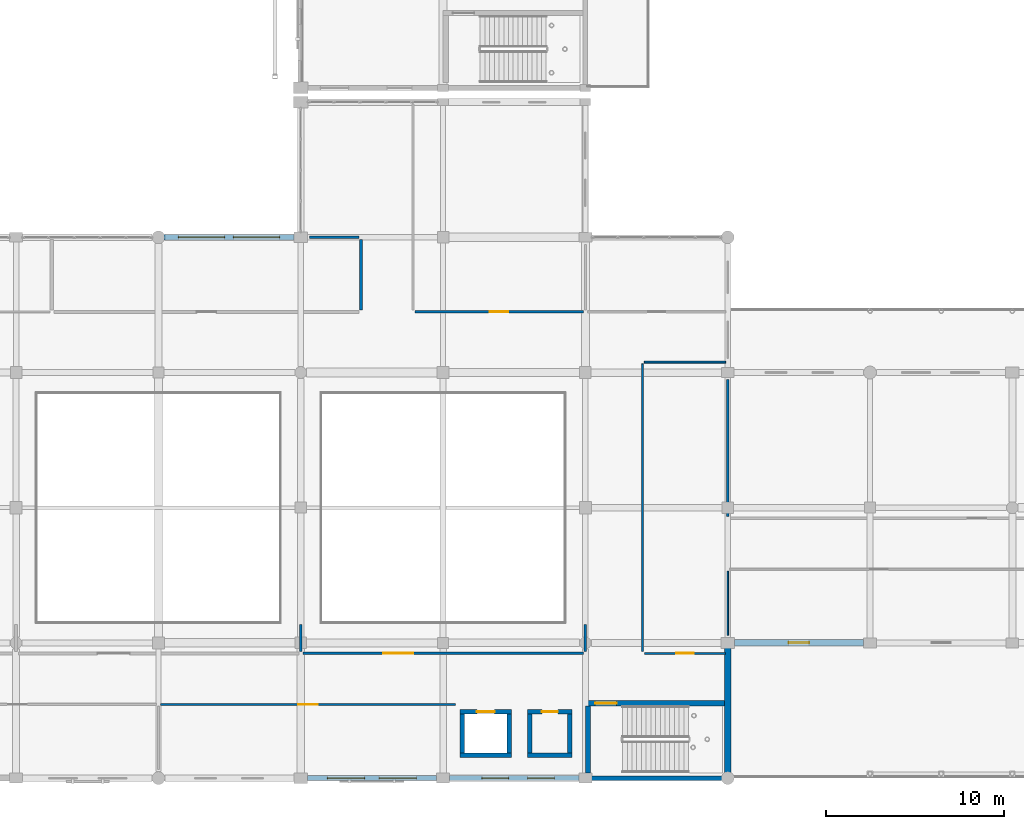
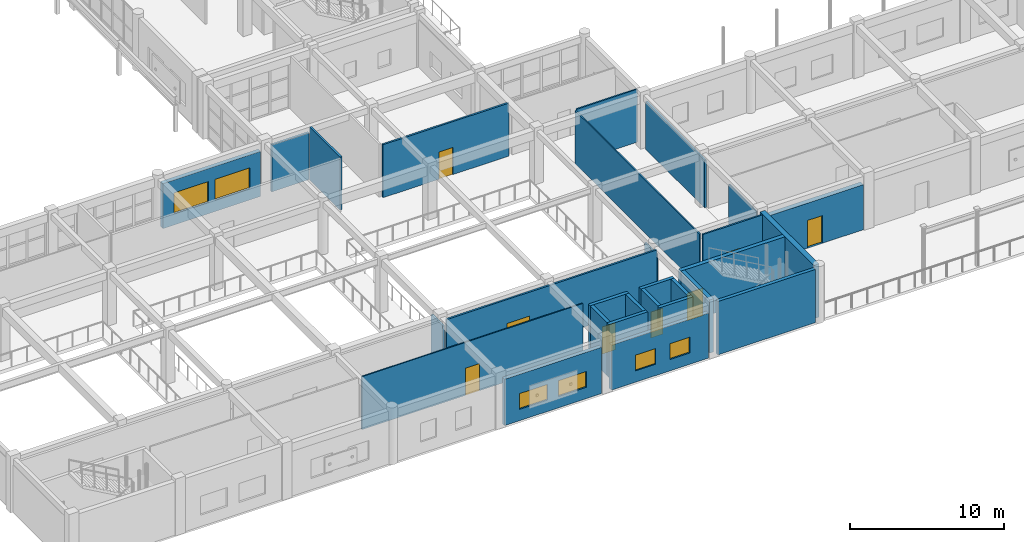
# One storey, part 125 of 160: 28 walls, 8 doors, 6 windows, 14 openings.
"""IFC4 building model written with IfcOpenShell, lengths in metres."""

import ifcopenshell
import ifcopenshell.guid

model = None  # the IFC model being written
_history = None  # IfcOwnerHistory: only IFC2X3 demands one
_inside = {}  # id of a spatial element -> (the spatial element, [elements in it])
_under = {}  # id of a project, library or spatial element -> (it, [spatial elements below it])
_declared = {}  # id of a project -> (the project, [libraries it declares])
_typed = {}  # id of a type object -> (the type object, [elements of that type])
_made_of = {}  # id of a material, layer set ... -> (it, [elements and type objects made of it])


def new_model(schema):
    """Start an empty IFC model of exactly this schema.

    Asked for "IFC4X3", IfcOpenShell would pick the latest addendum, in which some entities
    have other attributes; the version numbers below select the first issue.
    IFC2X3 requires an IfcOwnerHistory on every rooted entity: one is made here for all.
    """
    global model, _history
    if schema == "IFC4X3":
        model = ifcopenshell.file(schema_version=(4, 3, 0, 0))
    else:
        model = ifcopenshell.file(schema=schema)
    _inside.clear()
    _under.clear()
    _declared.clear()
    _typed.clear()
    _made_of.clear()
    _history = None
    if model.schema == "IFC2X3":
        org = make("IfcOrganization", Name="unknown")
        user = make(
            "IfcPersonAndOrganization",
            ThePerson=make("IfcPerson", FamilyName="unknown"),
            TheOrganization=org,
        )
        app = make(
            "IfcApplication",
            ApplicationDeveloper=org,
            Version="unknown",
            ApplicationFullName="unknown",
            ApplicationIdentifier="unknown",
        )
        _history = make(
            "IfcOwnerHistory",
            OwningUser=user,
            OwningApplication=app,
            ChangeAction="ADDED",
            CreationDate=0,
        )
    return model


def make(cls, **values):
    """One entity of the class cls with the attributes given. An attribute that is None is left unset."""
    return model.create_entity(
        cls, **{name: value for name, value in values.items() if value is not None}
    )


def rooted(cls, **values):
    """An entity with a GlobalId (a new one), such as an element, a storey or a relation."""
    return make(cls, GlobalId=ifcopenshell.guid.new(), OwnerHistory=_history, **values)


def si_unit(unit_type, name, prefix=None):
    """IfcSIUnit, for example si_unit("LENGTHUNIT", "METRE", prefix="MILLI")."""
    return make("IfcSIUnit", UnitType=unit_type, Prefix=prefix, Name=name)


def assignment(units):
    """IfcUnitAssignment: the units of a project."""
    return None if units is None else make("IfcUnitAssignment", Units=units)


def point(xyz):
    """IfcCartesianPoint."""
    return None if xyz is None else make("IfcCartesianPoint", Coordinates=xyz)


def direction(xyz):
    """IfcDirection."""
    return None if xyz is None else make("IfcDirection", DirectionRatios=xyz)


def frame(location, z_axis=None, x_axis=None):
    """IfcAxis2Placement3D, a coordinate frame: its origin and axes. An axis left out is left unset."""
    return make(
        "IfcAxis2Placement3D",
        Location=point(location),
        Axis=direction(z_axis),
        RefDirection=direction(x_axis),
    )


def frame_2d(location, x_axis=None):
    """IfcAxis2Placement2D, a coordinate frame in the plane: its origin and x axis."""
    return make(
        "IfcAxis2Placement2D", Location=point(location), RefDirection=direction(x_axis)
    )


def origin():
    """The frame at (0, 0, 0) with its axes left unset."""
    return frame((0.0, 0.0, 0.0))


def place(relative_to, where):
    """IfcLocalPlacement: puts the frame where relative to a parent placement (None: the world)."""
    return make(
        "IfcLocalPlacement", PlacementRelTo=relative_to, RelativePlacement=where
    )


def context(
    kind, dimensions, precision=None, world=None, true_north=None, identifier=None
):
    """IfcGeometricRepresentationContext, for example the 3D "Model" context."""
    return make(
        "IfcGeometricRepresentationContext",
        ContextIdentifier=identifier,
        ContextType=kind,
        CoordinateSpaceDimension=dimensions,
        Precision=precision,
        WorldCoordinateSystem=world,
        TrueNorth=true_north,
    )


def subcontext(parent, identifier, kind, view, scale=None):
    """IfcGeometricRepresentationSubContext, for example "Body" below "Model"."""
    return make(
        "IfcGeometricRepresentationSubContext",
        ContextIdentifier=identifier,
        ContextType=kind,
        ParentContext=parent,
        TargetScale=scale,
        TargetView=view,
    )


def project(units=None, contexts=None):
    """IfcProject with its units and contexts."""
    return rooted(
        "IfcProject",
        Name="project",
        RepresentationContexts=contexts,
        UnitsInContext=assignment(units),
    )


def spatial(cls, under=None, at=None, **own):
    """A site, building, storey or space (cls), placed at a placement, below another one or the project."""
    s = rooted(cls, ObjectPlacement=at, **own)
    if under is not None:
        _under.setdefault(under.id(), (under, []))[1].append(s)
    return s


def profile(cls, at=None, kind="AREA", **sizes):
    """A parametric profile (cls). Its sizes go by their IFC names, for example OverallWidth=200.0."""
    return make(cls, ProfileType=kind, Position=at, **sizes)


def rectangle(**sizes):
    """IfcRectangleProfileDef."""
    return profile("IfcRectangleProfileDef", **sizes)


def extrude(swept, where, along, depth):
    """IfcExtrudedAreaSolid: the profile swept, set in the frame where, extruded along a direction by depth."""
    return make(
        "IfcExtrudedAreaSolid",
        SweptArea=swept,
        Position=where,
        ExtrudedDirection=direction(along),
        Depth=depth,
    )


def shape(context_of_items, identifier, shape_type, items):
    """IfcShapeRepresentation: the items that make up one representation, for example the "Body"."""
    return make(
        "IfcShapeRepresentation",
        ContextOfItems=context_of_items,
        RepresentationIdentifier=identifier,
        RepresentationType=shape_type,
        Items=items,
    )


def material(Name=None, Category=None):
    """IfcMaterial."""
    return make("IfcMaterial", Name=Name, Category=Category)


def layer(
    of_material, thickness, ventilated=None, Name=None, Category=None, Priority=None
):
    """IfcMaterialLayer: one layer of a wall or slab, of a material (None: an air gap)."""
    return make(
        "IfcMaterialLayer",
        Material=of_material,
        LayerThickness=thickness,
        IsVentilated=ventilated,
        Name=Name,
        Category=Category,
        Priority=Priority,
    )


def layer_set(layers, Name=None):
    """IfcMaterialLayerSet."""
    return make("IfcMaterialLayerSet", MaterialLayers=layers, LayerSetName=Name)


def made_of(thing, what):
    """Note that an element or type object is made of a material, layer set ...; save() writes the relation."""
    if what is not None:
        _made_of.setdefault(what.id(), (what, []))[1].append(thing)
    return thing


def type_object(cls, material=None, **own):
    """A type object (cls), such as IfcWallType, which elements share."""
    return made_of(rooted(cls, **own), material)


def element(
    cls,
    number,
    at=None,
    inside=None,
    cuts=None,
    type_object=None,
    material=None,
    context=None,
    identifier="Body",
    shape_type=None,
    held_by="IfcProductDefinitionShape",
    body=None,
    shapes=None,
    **own,
):
    """One element of the class cls, such as IfcWall. Its Tag is "e" and its number.

    at: its placement. inside: the storey or other place that contains it. cuts: it is an
    opening in that element (IfcRelVoidsElement). A single representation is given by context,
    identifier, shape_type and body (its items); several are given by shapes. held_by: the class
    of the entity that holds the representations. save() writes the other relations.
    """
    e = rooted(cls, Tag="e%d" % number, ObjectPlacement=at, **own)
    if body is not None:
        shapes = [shape(context, identifier, shape_type, body)]
    if shapes is not None:
        e.Representation = make(held_by, Representations=shapes)
    if inside is not None:
        _inside.setdefault(inside.id(), (inside, []))[1].append(e)
    if cuts is not None:
        rooted(
            "IfcRelVoidsElement", RelatingBuildingElement=cuts, RelatedOpeningElement=e
        )
    if type_object is not None:
        _typed.setdefault(type_object.id(), (type_object, []))[1].append(e)
    return made_of(e, material)


def fill(opening, filler):
    """IfcRelFillsElement: the door or window that sits in an opening."""
    return rooted(
        "IfcRelFillsElement",
        RelatingOpeningElement=opening,
        RelatedBuildingElement=filler,
    )


def aggregate(whole, parts):
    """IfcRelAggregates: a whole, such as a stair, and the parts it consists of."""
    return rooted("IfcRelAggregates", RelatingObject=whole, RelatedObjects=parts)


def save(model, path):
    """Write the relations noted so far, then the file.

    IfcRelAggregates (storeys below a building ...), IfcRelContainedInSpatialStructure (elements
    in a storey), IfcRelDefinesByType, IfcRelAssociatesMaterial and IfcRelDeclares: one each for
    every whole, place, type object, material and project.
    """
    for whole, parts in _under.values():
        aggregate(whole, parts)
    for where, things in _inside.values():
        rooted(
            "IfcRelContainedInSpatialStructure",
            RelatedElements=things,
            RelatingStructure=where,
        )
    for kind, things in _typed.values():
        rooted("IfcRelDefinesByType", RelatedObjects=things, RelatingType=kind)
    for what, things in _made_of.values():
        rooted("IfcRelAssociatesMaterial", RelatedObjects=things, RelatingMaterial=what)
    for by, libraries in _declared.values():
        rooted("IfcRelDeclares", RelatingContext=by, RelatedDefinitions=libraries)
    model.write(path)


model = new_model("IFC4")

# Units and contexts
model_context = context("Model", 3, precision=1e-05, world=origin(), true_north=direction((0.0, 1.0)))
body_context = subcontext(model_context, "Body", "Model", "MODEL_VIEW")
ifc_project = project(units=[si_unit("LENGTHUNIT", "METRE"), si_unit("AREAUNIT", "SQUARE_METRE"), si_unit("VOLUMEUNIT", "CUBIC_METRE"), si_unit("PLANEANGLEUNIT", "RADIAN"), si_unit("MASSUNIT", "GRAM", prefix="KILO")], contexts=[model_context])

# Site, building, storey
site_placement = place(None, origin())
site = spatial("IfcSite", under=ifc_project, at=site_placement, CompositionType="ELEMENT")
building_placement = place(site_placement, origin())
building = spatial("IfcBuilding", under=site, at=building_placement, Name="Kharva Crest Polytechnic", CompositionType="ELEMENT")
storey_placement = place(building_placement, frame((0.0, 0.0, 4.5)))
storey = spatial("IfcBuildingStorey", under=building, at=storey_placement, Name="L01", CompositionType="ELEMENT", Elevation=4.5)

# Wall, opening, door
ifc_material_1 = material(Name="Concrete C40/50", Category="concrete")
ifc_layer_1 = layer(ifc_material_1, 0.300048828125, Name="Concrete C40/50")
ifc_layer_set_1 = layer_set([ifc_layer_1], Name="Concrete C40/50")
wall_type_1 = type_object("IfcWallType", Name="WL-CORE-CW2-300", PredefinedType="SHEAR", material=ifc_layer_set_1)
wall_1_placement = place(storey_placement, frame((48.0, 4.2099609375, 0.0), z_axis=(0.0, 0.0, 1.0), x_axis=(1.0, 0.0, 0.0)))
wall_1 = element("IfcWall", 1, at=wall_1_placement, inside=storey, type_object=wall_type_1, Name="L01 South-West Lecture Core C1 North Shear Wall", PredefinedType="SHEAR", context=body_context, shape_type="SweptSolid", body=[
    extrude(rectangle(XDim=8.0, YDim=0.300048828125, at=frame_2d((4.0, 0.0))), origin(), (0.0, 0.0, 1.0), 4.219970703125),
])
opening_1_placement = place(wall_1_placement, frame((0.550048828125, 0.0, 0.0)))
opening_1 = element("IfcOpeningElement", 2, at=opening_1_placement, cuts=wall_1, Name="Opening FD1", PredefinedType="OPENING", context=body_context, shape_type="SweptSolid", body=[
    extrude(rectangle(XDim=1.199951171875, YDim=2.199951171875, at=frame_2d((0.60009765625, 1.10009765625))), frame((0.0, 0.159912109375, 0.0), z_axis=(0.0, -1.0, 0.0), x_axis=(1.0, 0.0, 0.0)), (0.0, 0.0, 1.0), 0.320068359375),
])
ifc_material_2 = material(Name="Teak timber", Category="wood")
door_type_1 = type_object("IfcDoorType", Name="DR-STAIR-1200X2200", OperationType="NOTDEFINED", PredefinedType="DOOR", material=ifc_material_2)
door_1_placement = place(opening_1_placement, origin())
door_1 = element("IfcDoor", 3, at=door_1_placement, inside=storey, type_object=door_type_1, Name="L01 ST-01 Stair Door", OperationType="SINGLE_SWING_LEFT", OverallHeight=2.199951171875, OverallWidth=1.199951171875, PredefinedType="DOOR", context=body_context, shape_type="SweptSolid", body=[
    extrude(rectangle(XDim=1.199951171875, YDim=2.199951171875, at=frame_2d((0.60009765625, 1.10009765625))), frame((0.0, 0.02490234375, 0.0), z_axis=(0.0, -1.0, 0.0), x_axis=(1.0, 0.0, 0.0)), (0.0, 0.0, 1.0), 0.050048828125),
])
fill(opening_1, door_1)

# Walls
wall_2_placement = place(storey_placement, frame((48.14990234375, 0.300048828125, 0.0), z_axis=(0.0, 0.0, 1.0), x_axis=(0.0, 1.0, 0.0)))
element("IfcWall", 4, at=wall_2_placement, inside=storey, type_object=wall_type_1, Name="L01 South-West Lecture Core C1 West Shear Wall", PredefinedType="SHEAR", context=body_context, shape_type="SweptSolid", body=[
    extrude(rectangle(XDim=3.760009765625, YDim=0.300048828125, at=frame_2d((1.8798828125, 0.0))), origin(), (0.0, 0.0, 1.0), 4.219970703125),
])
ifc_material_3 = material(Name="Kiln brick masonry", Category="masonry")
ifc_layer_2 = layer(ifc_material_3, 0.260009765625, Name="Kiln brick masonry")
ifc_layer_set_2 = layer_set([ifc_layer_2], Name="Kiln brick masonry")
wall_type_2 = type_object("IfcWallType", Name="WL-EXT-BRK-260", PredefinedType="SOLIDWALL", material=ifc_layer_set_2)
wall_3_placement = place(storey_placement, frame((48.35498046875, 0.0, 0.0), z_axis=(0.0, 0.0, 1.0), x_axis=(1.0, 0.0, 0.0)))
element("IfcWall", 5, at=wall_3_placement, inside=storey, type_object=wall_type_2, Name="L01 Exterior Brick Wall 129", PredefinedType="SOLIDWALL", context=body_context, shape_type="SweptSolid", body=[
    extrude(rectangle(XDim=7.342529296875, YDim=0.260009765625, at=frame_2d((3.67138671875, 0.0))), origin(), (0.0, 0.0, 1.0), 4.219970703125),
])

# Wall, openings, windows
ifc_layer_3 = layer(ifc_material_3, 0.27490234375, Name="Kiln brick masonry")
ifc_layer_set_3 = layer_set([ifc_layer_3], Name="Kiln brick masonry")
wall_type_3 = type_object("IfcWallType", Name="WL-EXT-BRK-275", PredefinedType="SOLIDWALL", material=ifc_layer_set_3)
wall_4_placement = place(storey_placement, frame((40.3701171875, 0.0, 0.0), z_axis=(0.0, 0.0, 1.0), x_axis=(1.0, 0.0, 0.0)))
wall_4 = element("IfcWall", 6, at=wall_4_placement, inside=storey, type_object=wall_type_3, Name="L01 Exterior Brick Wall 128", PredefinedType="SOLIDWALL", context=body_context, shape_type="SweptSolid", body=[
    extrude(rectangle(XDim=7.27490234375, YDim=0.27490234375, at=frame_2d((3.637451171875, 0.0))), origin(), (0.0, 0.0, 1.0), 3.570068359375),
])
opening_2_placement = place(wall_4_placement, frame((1.818115234375, 0.0, 0.89990234375)))
opening_2 = element("IfcOpeningElement", 7, at=opening_2_placement, cuts=wall_4, Name="Opening W20", PredefinedType="OPENING", context=body_context, shape_type="SweptSolid", body=[
    extrude(rectangle(XDim=1.5, YDim=1.25, at=frame_2d((0.75, 0.625))), frame((0.0, 0.1474609375, 0.0), z_axis=(0.0, -1.0, 0.0), x_axis=(1.0, 0.0, 0.0)), (0.0, 0.0, 1.0), 0.294921875),
])
opening_3_placement = place(wall_4_placement, frame((4.386962890625, 0.0, 0.89990234375)))
opening_3 = element("IfcOpeningElement", 8, at=opening_3_placement, cuts=wall_4, Name="Opening W20", PredefinedType="OPENING", context=body_context, shape_type="SweptSolid", body=[
    extrude(rectangle(XDim=1.5, YDim=1.25, at=frame_2d((0.75, 0.625))), frame((0.0, 0.1474609375, 0.0), z_axis=(0.0, -1.0, 0.0), x_axis=(1.0, 0.0, 0.0)), (0.0, 0.0, 1.0), 0.294921875),
])
ifc_material_4 = material(Name="Anodised aluminium", Category="aluminium")
window_type_1 = type_object("IfcWindowType", Name="WIN-ALU-1500X1250", PartitioningType="SINGLE_PANEL", PredefinedType="WINDOW", material=ifc_material_4)
window_1_placement = place(opening_2_placement, origin())
window_1 = element("IfcWindow", 9, at=window_1_placement, inside=storey, type_object=window_type_1, Name="L01 Exterior Window 162", OverallHeight=1.25, OverallWidth=1.5, PartitioningType="SINGLE_PANEL", PredefinedType="WINDOW", context=body_context, shape_type="SweptSolid", body=[
    extrude(rectangle(XDim=1.5, YDim=1.25, at=frame_2d((0.75, 0.625))), frame((0.0, 0.030029296875, 0.0), z_axis=(0.0, -1.0, 0.0), x_axis=(1.0, 0.0, 0.0)), (0.0, 0.0, 1.0), 0.06005859375),
])
fill(opening_2, window_1)
window_2_placement = place(opening_3_placement, origin())
window_2 = element("IfcWindow", 10, at=window_2_placement, inside=storey, type_object=window_type_1, Name="L01 Exterior Window 163", OverallHeight=1.25, OverallWidth=1.5, PartitioningType="SINGLE_PANEL", PredefinedType="WINDOW", context=body_context, shape_type="SweptSolid", body=[
    extrude(rectangle(XDim=1.5, YDim=1.25, at=frame_2d((0.75, 0.625))), frame((0.0, 0.030029296875, 0.0), z_axis=(0.0, -1.0, 0.0), x_axis=(1.0, 0.0, 0.0)), (0.0, 0.0, 1.0), 0.06005859375),
])
fill(opening_3, window_2)

ifc_layer_4 = layer(ifc_material_3, 0.2900390625, Name="Kiln brick masonry")
ifc_layer_set_4 = layer_set([ifc_layer_4], Name="Kiln brick masonry")
wall_type_4 = type_object("IfcWallType", Name="WL-EXT-BRK-290", PredefinedType="SOLIDWALL", material=ifc_layer_set_4)
wall_5_placement = place(storey_placement, frame((32.3701171875, 0.0, 0.0), z_axis=(0.0, 0.0, 1.0), x_axis=(1.0, 0.0, 0.0)))
wall_5 = element("IfcWall", 11, at=wall_5_placement, inside=storey, type_object=wall_type_4, Name="L01 Exterior Brick Wall 127", PredefinedType="SOLIDWALL", context=body_context, shape_type="SweptSolid", body=[
    extrude(rectangle(XDim=7.259765625, YDim=0.2900390625, at=frame_2d((3.6298828125, 0.0))), origin(), (0.0, 0.0, 1.0), 3.669921875),
])
opening_4_placement = place(wall_5_placement, frame((1.126953125, 0.0, 0.89990234375)))
opening_4 = element("IfcOpeningElement", 12, at=opening_4_placement, cuts=wall_5, Name="Opening W18", PredefinedType="OPENING", context=body_context, shape_type="SweptSolid", body=[
    extrude(rectangle(XDim=2.10009765625, YDim=1.25, at=frame_2d((1.050048828125, 0.625))), frame((0.0, 0.155029296875, 0.0), z_axis=(0.0, -1.0, 0.0), x_axis=(1.0, 0.0, 0.0)), (0.0, 0.0, 1.0), 0.31005859375),
])
opening_5_placement = place(wall_5_placement, frame((4.032958984375, 0.0, 0.89990234375)))
opening_5 = element("IfcOpeningElement", 13, at=opening_5_placement, cuts=wall_5, Name="Opening W18", PredefinedType="OPENING", context=body_context, shape_type="SweptSolid", body=[
    extrude(rectangle(XDim=2.10009765625, YDim=1.25, at=frame_2d((1.050048828125, 0.625))), frame((0.0, 0.155029296875, 0.0), z_axis=(0.0, -1.0, 0.0), x_axis=(1.0, 0.0, 0.0)), (0.0, 0.0, 1.0), 0.31005859375),
])
window_type_2 = type_object("IfcWindowType", Name="WIN-ALU-2100X1250", PartitioningType="SINGLE_PANEL", PredefinedType="WINDOW", material=ifc_material_4)
window_3_placement = place(opening_4_placement, origin())
window_3 = element("IfcWindow", 14, at=window_3_placement, inside=storey, type_object=window_type_2, Name="L01 Exterior Window 160", OverallHeight=1.25, OverallWidth=2.10009765625, PartitioningType="SINGLE_PANEL", PredefinedType="WINDOW", context=body_context, shape_type="SweptSolid", body=[
    extrude(rectangle(XDim=2.10009765625, YDim=1.25, at=frame_2d((1.050048828125, 0.625))), frame((0.0, 0.030029296875, 0.0), z_axis=(0.0, -1.0, 0.0), x_axis=(1.0, 0.0, 0.0)), (0.0, 0.0, 1.0), 0.06005859375),
])
fill(opening_4, window_3)
window_4_placement = place(opening_5_placement, origin())
window_4 = element("IfcWindow", 15, at=window_4_placement, inside=storey, type_object=window_type_2, Name="L01 Exterior Window 161", OverallHeight=1.25, OverallWidth=2.10009765625, PartitioningType="SINGLE_PANEL", PredefinedType="WINDOW", context=body_context, shape_type="SweptSolid", body=[
    extrude(rectangle(XDim=2.10009765625, YDim=1.25, at=frame_2d((1.050048828125, 0.625))), frame((0.0, 0.030029296875, 0.0), z_axis=(0.0, -1.0, 0.0), x_axis=(1.0, 0.0, 0.0)), (0.0, 0.0, 1.0), 0.06005859375),
])
fill(opening_5, window_4)

ifc_layer_5 = layer(ifc_material_3, 0.304931640625, Name="Kiln brick masonry")
ifc_layer_set_5 = layer_set([ifc_layer_5], Name="Kiln brick masonry")
wall_type_5 = type_object("IfcWallType", Name="WL-EXT-BRK-305", PredefinedType="SOLIDWALL", material=ifc_layer_set_5)
wall_6_placement = place(storey_placement, frame((31.6298828125, 30.39990234375, 0.0), z_axis=(0.0, 0.0, 1.0), x_axis=(-1.0, 0.0, 0.0)))
wall_6 = element("IfcWall", 16, at=wall_6_placement, inside=storey, type_object=wall_type_5, Name="L01 Exterior Brick Wall 149", PredefinedType="SOLIDWALL", context=body_context, shape_type="SweptSolid", body=[
    extrude(rectangle(XDim=7.327392578125, YDim=0.304931640625, at=frame_2d((3.66357421875, 0.0))), origin(), (0.0, 0.0, 1.0), 3.570068359375),
])
opening_6_placement = place(wall_6_placement, frame((0.81591796875, 0.0, 0.89990234375)))
opening_6 = element("IfcOpeningElement", 17, at=opening_6_placement, cuts=wall_6, Name="Opening W24", PredefinedType="OPENING", context=body_context, shape_type="SweptSolid", body=[
    extrude(rectangle(XDim=2.60009765625, YDim=1.64990234375, at=frame_2d((1.300048828125, 0.824951171875))), frame((0.0, 0.162353515625, 0.0), z_axis=(0.0, -1.0, 0.0), x_axis=(1.0, 0.0, 0.0)), (0.0, 0.0, 1.0), 0.324951171875),
])
opening_7_placement = place(wall_6_placement, frame((3.912109375, 0.0, 0.89990234375)))
opening_7 = element("IfcOpeningElement", 18, at=opening_7_placement, cuts=wall_6, Name="Opening W24", PredefinedType="OPENING", context=body_context, shape_type="SweptSolid", body=[
    extrude(rectangle(XDim=2.60009765625, YDim=1.64990234375, at=frame_2d((1.300048828125, 0.824951171875))), frame((0.0, 0.162353515625, 0.0), z_axis=(0.0, -1.0, 0.0), x_axis=(1.0, 0.0, 0.0)), (0.0, 0.0, 1.0), 0.324951171875),
])
window_type_3 = type_object("IfcWindowType", Name="WIN-ALU-2600X1650", PartitioningType="SINGLE_PANEL", PredefinedType="WINDOW", material=ifc_material_4)
window_5_placement = place(opening_6_placement, origin())
window_5 = element("IfcWindow", 19, at=window_5_placement, inside=storey, type_object=window_type_3, Name="L01 Exterior Window 190", OverallHeight=1.64990234375, OverallWidth=2.60009765625, PartitioningType="SINGLE_PANEL", PredefinedType="WINDOW", context=body_context, shape_type="SweptSolid", body=[
    extrude(rectangle(XDim=2.60009765625, YDim=1.64990234375, at=frame_2d((1.300048828125, 0.824951171875))), frame((0.0, 0.030029296875, 0.0), z_axis=(0.0, -1.0, 0.0), x_axis=(1.0, 0.0, 0.0)), (0.0, 0.0, 1.0), 0.06005859375),
])
fill(opening_6, window_5)
window_6_placement = place(opening_7_placement, origin())
window_6 = element("IfcWindow", 20, at=window_6_placement, inside=storey, type_object=window_type_3, Name="L01 Exterior Window 191", OverallHeight=1.64990234375, OverallWidth=2.60009765625, PartitioningType="SINGLE_PANEL", PredefinedType="WINDOW", context=body_context, shape_type="SweptSolid", body=[
    extrude(rectangle(XDim=2.60009765625, YDim=1.64990234375, at=frame_2d((1.300048828125, 0.824951171875))), frame((0.0, 0.030029296875, 0.0), z_axis=(0.0, -1.0, 0.0), x_axis=(1.0, 0.0, 0.0)), (0.0, 0.0, 1.0), 0.06005859375),
])
fill(opening_7, window_6)

# Wall, opening, door
ifc_layer_6 = layer(ifc_material_3, 0.364990234375, Name="Kiln brick masonry")
ifc_layer_set_6 = layer_set([ifc_layer_6], Name="Kiln brick masonry")
wall_type_6 = type_object("IfcWallType", Name="WL-EXT-BRK-365", PredefinedType="SOLIDWALL", material=ifc_layer_set_6)
wall_7_placement = place(storey_placement, frame((56.3701171875, 7.60009765625, 0.0), z_axis=(0.0, 0.0, 1.0), x_axis=(1.0, 0.0, 0.0)))
wall_7 = element("IfcWall", 21, at=wall_7_placement, inside=storey, type_object=wall_type_6, Name="L01 Exterior Brick Wall 131", PredefinedType="SOLIDWALL", context=body_context, shape_type="SweptSolid", body=[
    extrude(rectangle(XDim=7.259765625, YDim=0.364990234375, at=frame_2d((3.6298828125, 0.0))), origin(), (0.0, 0.0, 1.0), 3.570068359375),
])
opening_8_placement = place(wall_7_placement, frame((3.054931640625, 0.0, 0.0)))
opening_8 = element("IfcOpeningElement", 22, at=opening_8_placement, cuts=wall_7, Name="Opening ED9", PredefinedType="OPENING", context=body_context, shape_type="SweptSolid", body=[
    extrude(rectangle(XDim=1.14990234375, YDim=2.199951171875, at=frame_2d((0.574951171875, 1.10009765625))), frame((0.0, 0.1923828125, 0.0), z_axis=(0.0, -1.0, 0.0), x_axis=(1.0, 0.0, 0.0)), (0.0, 0.0, 1.0), 0.385009765625),
])
door_type_2 = type_object("IfcDoorType", Name="DR-EXT-TER-1150X2200", OperationType="NOTDEFINED", PredefinedType="DOOR", material=ifc_material_4)
door_2_placement = place(opening_8_placement, frame((1.14990234375, 0.0, 0.0), z_axis=(0.0, 0.0, 1.0), x_axis=(-1.0, 0.0, 0.0)))
door_2 = element("IfcDoor", 23, at=door_2_placement, inside=storey, type_object=door_type_2, Name="L01 ARC_S_L01 Access Door 30", OperationType="SINGLE_SWING_RIGHT", OverallHeight=2.199951171875, OverallWidth=1.14990234375, PredefinedType="DOOR", context=body_context, shape_type="SweptSolid", body=[
    extrude(rectangle(XDim=1.14990234375, YDim=2.199951171875, at=frame_2d((0.574951171875, 1.10009765625))), frame((0.0, 0.02490234375, 0.0), z_axis=(0.0, -1.0, 0.0), x_axis=(1.0, 0.0, 0.0)), (0.0, 0.0, 1.0), 0.050048828125),
])
fill(opening_8, door_2)

# Wall
ifc_layer_7 = layer(ifc_material_3, 0.3798828125, Name="Kiln brick masonry")
ifc_layer_set_7 = layer_set([ifc_layer_7], Name="Kiln brick masonry")
wall_type_7 = type_object("IfcWallType", Name="WL-EXT-BRK-380", PredefinedType="SOLIDWALL", material=ifc_layer_set_7)
wall_8_placement = place(storey_placement, frame((56.0, 0.302490234375, 0.0), z_axis=(0.0, 0.0, 1.0), x_axis=(0.0, 1.0, 0.0)))
element("IfcWall", 24, at=wall_8_placement, inside=storey, type_object=wall_type_7, Name="L01 Exterior Brick Wall 130", PredefinedType="SOLIDWALL", context=body_context, shape_type="SweptSolid", body=[
    extrude(rectangle(XDim=7.00244140625, YDim=0.3798828125, at=frame_2d((3.501220703125, 0.0))), origin(), (0.0, 0.0, 1.0), 4.219970703125),
])

# Wall, opening, door
ifc_layer_8 = layer(ifc_material_3, 0.090087890625, Name="Kiln brick masonry")
ifc_layer_set_8 = layer_set([ifc_layer_8], Name="Kiln brick masonry")
wall_type_8 = type_object("IfcWallType", Name="WL-PART-090", PredefinedType="PARTITIONING", material=ifc_layer_set_8)
wall_9_placement = place(storey_placement, frame((24.1201171875, 4.139892578125, 0.0), z_axis=(0.0, 0.0, 1.0), x_axis=(1.0, 0.0, 0.0)))
wall_9 = element("IfcWall", 25, at=wall_9_placement, inside=storey, type_object=wall_type_8, Name="L01 Interior Partition 129", PredefinedType="PARTITIONING", context=body_context, shape_type="SweptSolid", body=[
    extrude(rectangle(XDim=16.56982421875, YDim=0.090087890625, at=frame_2d((8.284912109375, 0.0))), origin(), (0.0, 0.0, 1.0), 4.199951171875),
])
opening_9_placement = place(wall_9_placement, frame((7.7451171875, 0.0, 0.0)))
opening_9 = element("IfcOpeningElement", 26, at=opening_9_placement, cuts=wall_9, Name="Opening ID10", PredefinedType="OPENING", context=body_context, shape_type="SweptSolid", body=[
    extrude(rectangle(XDim=1.080078125, YDim=2.14990234375, at=frame_2d((0.5400390625, 1.074951171875))), frame((0.0, 0.054931640625, 0.0), z_axis=(0.0, -1.0, 0.0), x_axis=(1.0, 0.0, 0.0)), (0.0, 0.0, 1.0), 0.110107421875),
])
door_type_3 = type_object("IfcDoorType", Name="DR-CLS-1080X2150", OperationType="NOTDEFINED", PredefinedType="DOOR", material=ifc_material_2)
door_3_placement = place(opening_9_placement, origin())
door_3 = element("IfcDoor", 27, at=door_3_placement, inside=storey, type_object=door_type_3, Name="L01 Classroom L01-B Door", OperationType="SINGLE_SWING_LEFT", OverallHeight=2.14990234375, OverallWidth=1.080078125, PredefinedType="DOOR", context=body_context, shape_type="SweptSolid", body=[
    extrude(rectangle(XDim=1.080078125, YDim=2.14990234375, at=frame_2d((0.5400390625, 1.074951171875))), frame((0.0, 0.02490234375, 0.0), z_axis=(0.0, -1.0, 0.0), x_axis=(1.0, 0.0, 0.0)), (0.0, 0.0, 1.0), 0.050048828125),
])
fill(opening_9, door_3)

# Walls
wall_10_placement = place(storey_placement, frame((56.010009765625, 8.030029296875, 0.0), z_axis=(0.0, 0.0, 1.0), x_axis=(0.0, 1.0, 0.0)))
element("IfcWall", 28, at=wall_10_placement, inside=storey, type_object=wall_type_8, Name="L01 Interior Partition 149", PredefinedType="PARTITIONING", context=body_context, shape_type="SweptSolid", body=[
    extrude(rectangle(XDim=3.599853515625, YDim=0.090087890625, at=frame_2d((1.7998046875, 0.0))), origin(), (0.0, 0.0, 1.0), 3.739990234375),
])
ifc_layer_9 = layer(ifc_material_3, 0.10009765625, Name="Kiln brick masonry")
ifc_layer_set_9 = layer_set([ifc_layer_9], Name="Kiln brick masonry")
wall_type_9 = type_object("IfcWallType", Name="WL-PART-100", PredefinedType="PARTITIONING", material=ifc_layer_set_9)
wall_11_placement = place(storey_placement, frame((51.2099609375, 7.1201171875, 0.0), z_axis=(0.0, 0.0, 1.0), x_axis=(0.0, 1.0, 0.0)))
element("IfcWall", 29, at=wall_11_placement, inside=storey, type_object=wall_type_9, Name="L01 Interior Partition 138", PredefinedType="PARTITIONING", context=body_context, shape_type="SweptSolid", body=[
    extrude(rectangle(XDim=16.159912109375, YDim=0.10009765625, at=frame_2d((8.080078125, 0.0))), origin(), (0.0, 0.0, 1.0), 4.199951171875),
])
ifc_layer_10 = layer(ifc_material_3, 0.110107421875, Name="Kiln brick masonry")
ifc_layer_set_10 = layer_set([ifc_layer_10], Name="Kiln brick masonry")
wall_type_10 = type_object("IfcWallType", Name="WL-PART-110", PredefinedType="PARTITIONING", material=ifc_layer_set_10)
wall_12_placement = place(storey_placement, frame((51.320068359375, 23.389892578125, 0.0), z_axis=(0.0, 0.0, 1.0), x_axis=(1.0, 0.0, 0.0)))
element("IfcWall", 30, at=wall_12_placement, inside=storey, type_object=wall_type_10, Name="L01 Interior Partition 137", PredefinedType="PARTITIONING", context=body_context, shape_type="SweptSolid", body=[
    extrude(rectangle(XDim=4.56982421875, YDim=0.110107421875, at=frame_2d((2.284912109375, 0.0))), origin(), (0.0, 0.0, 1.0), 4.199951171875),
])

# Wall, opening, door
ifc_layer_11 = layer(ifc_material_3, 0.1201171875, Name="Kiln brick masonry")
ifc_layer_set_11 = layer_set([ifc_layer_11], Name="Kiln brick masonry")
wall_type_11 = type_object("IfcWallType", Name="WL-PART-120", PredefinedType="PARTITIONING", material=ifc_layer_set_11)
wall_13_placement = place(storey_placement, frame((51.320068359375, 7.010009765625, 0.0), z_axis=(0.0, 0.0, 1.0), x_axis=(1.0, 0.0, 0.0)))
wall_13 = element("IfcWall", 31, at=wall_13_placement, inside=storey, type_object=wall_type_11, Name="L01 Interior Partition 136", PredefinedType="PARTITIONING", context=body_context, shape_type="SweptSolid", body=[
    extrude(rectangle(XDim=4.56982421875, YDim=0.1201171875, at=frame_2d((2.284912109375, 0.0))), origin(), (0.0, 0.0, 1.0), 4.199951171875),
])
opening_10_placement = place(wall_13_placement, frame((1.784912109375, 0.0, 0.0)))
opening_10 = element("IfcOpeningElement", 32, at=opening_10_placement, cuts=wall_13, Name="Opening ID12", PredefinedType="OPENING", context=body_context, shape_type="SweptSolid", body=[
    extrude(rectangle(XDim=1.0, YDim=2.14990234375, at=frame_2d((0.5, 1.074951171875))), frame((0.0, 0.070068359375, 0.0), z_axis=(0.0, -1.0, 0.0), x_axis=(1.0, 0.0, 0.0)), (0.0, 0.0, 1.0), 0.14013671875),
])
door_type_4 = type_object("IfcDoorType", Name="DR-OFF-1000X2150", OperationType="NOTDEFINED", PredefinedType="DOOR", material=ifc_material_2)
door_4_placement = place(opening_10_placement, origin())
door_4 = element("IfcDoor", 33, at=door_4_placement, inside=storey, type_object=door_type_4, Name="L01 Projection and Acoustic Control Room Door", OperationType="SINGLE_SWING_RIGHT", OverallHeight=2.14990234375, OverallWidth=1.0, PredefinedType="DOOR", context=body_context, shape_type="SweptSolid", body=[
    extrude(rectangle(XDim=1.0, YDim=2.14990234375, at=frame_2d((0.5, 1.074951171875))), frame((0.0, 0.02490234375, 0.0), z_axis=(0.0, -1.0, 0.0), x_axis=(1.0, 0.0, 0.0)), (0.0, 0.0, 1.0), 0.050048828125),
])
fill(opening_10, door_4)

# Wall
ifc_layer_12 = layer(ifc_material_3, 0.1298828125, Name="Kiln brick masonry")
ifc_layer_set_12 = layer_set([ifc_layer_12], Name="Kiln brick masonry")
wall_type_12 = type_object("IfcWallType", Name="WL-PART-130", PredefinedType="PARTITIONING", material=ifc_layer_set_12)
wall_14_placement = place(storey_placement, frame((48.0, 7.1201171875, 0.0), z_axis=(0.0, 0.0, 1.0), x_axis=(0.0, 1.0, 0.0)))
element("IfcWall", 34, at=wall_14_placement, inside=storey, type_object=wall_type_12, Name="L01 Interior Partition 135", PredefinedType="PARTITIONING", context=body_context, shape_type="SweptSolid", body=[
    extrude(rectangle(XDim=1.519775390625, YDim=0.1298828125, at=frame_2d((0.759765625, 0.0))), origin(), (0.0, 0.0, 1.0), 3.739990234375),
])

# Wall, opening, door
ifc_layer_13 = layer(ifc_material_3, 0.139892578125, Name="Kiln brick masonry")
ifc_layer_set_13 = layer_set([ifc_layer_13], Name="Kiln brick masonry")
wall_type_13 = type_object("IfcWallType", Name="WL-PART-140", PredefinedType="PARTITIONING", material=ifc_layer_set_13)
wall_15_placement = place(storey_placement, frame((32.1201171875, 7.010009765625, 0.0), z_axis=(0.0, 0.0, 1.0), x_axis=(1.0, 0.0, 0.0)))
wall_15 = element("IfcWall", 35, at=wall_15_placement, inside=storey, type_object=wall_type_13, Name="L01 Interior Partition 134", PredefinedType="PARTITIONING", context=body_context, shape_type="SweptSolid", body=[
    extrude(rectangle(XDim=15.769775390625, YDim=0.139892578125, at=frame_2d((7.884765625, 0.0))), origin(), (0.0, 0.0, 1.0), 4.199951171875),
])
opening_11_placement = place(wall_15_placement, frame((4.511962890625, 0.0, 0.0)))
opening_11 = element("IfcOpeningElement", 36, at=opening_11_placement, cuts=wall_15, Name="Opening ID2", PredefinedType="OPENING", context=body_context, shape_type="SweptSolid", body=[
    extrude(rectangle(XDim=1.699951171875, YDim=2.300048828125, at=frame_2d((0.85009765625, 1.14990234375))), frame((0.0, 0.079833984375, 0.0), z_axis=(0.0, -1.0, 0.0), x_axis=(1.0, 0.0, 0.0)), (0.0, 0.0, 1.0), 0.159912109375),
])
door_type_5 = type_object("IfcDoorType", Name="DR-LECT-DBL-1700X2300", OperationType="NOTDEFINED", PredefinedType="DOOR", material=ifc_material_2)
door_5_placement = place(opening_11_placement, origin())
door_5 = element("IfcDoor", 37, at=door_5_placement, inside=storey, type_object=door_type_5, Name="L01 Lecture Theatre Upper Tier 3 Door", OperationType="DOUBLE_DOOR_SINGLE_SWING", OverallHeight=2.300048828125, OverallWidth=1.699951171875, PredefinedType="DOOR", context=body_context, shape_type="SweptSolid", body=[
    extrude(rectangle(XDim=1.699951171875, YDim=2.300048828125, at=frame_2d((0.85009765625, 1.14990234375))), frame((0.0, 0.02490234375, 0.0), z_axis=(0.0, -1.0, 0.0), x_axis=(1.0, 0.0, 0.0)), (0.0, 0.0, 1.0), 0.050048828125),
])
fill(opening_11, door_5)

wall_16_placement = place(storey_placement, frame((38.419921875, 26.2099609375, 0.0), z_axis=(0.0, 0.0, 1.0), x_axis=(1.0, 0.0, 0.0)))
wall_16 = element("IfcWall", 38, at=wall_16_placement, inside=storey, type_object=wall_type_13, Name="L01 Interior Partition 144", PredefinedType="PARTITIONING", context=body_context, shape_type="SweptSolid", body=[
    extrude(rectangle(XDim=9.469970703125, YDim=0.139892578125, at=frame_2d((4.73486328125, 0.0))), origin(), (0.0, 0.0, 1.0), 4.199951171875),
])
opening_12_placement = place(wall_16_placement, frame((4.215087890625, 0.0, 0.0)))
opening_12 = element("IfcOpeningElement", 39, at=opening_12_placement, cuts=wall_16, Name="Opening ID11", PredefinedType="OPENING", context=body_context, shape_type="SweptSolid", body=[
    extrude(rectangle(XDim=1.0400390625, YDim=2.14990234375, at=frame_2d((0.52001953125, 1.074951171875))), frame((0.0, 0.079833984375, 0.0), z_axis=(0.0, -1.0, 0.0), x_axis=(1.0, 0.0, 0.0)), (0.0, 0.0, 1.0), 0.159912109375),
])
door_type_6 = type_object("IfcDoorType", Name="DR-CLS-1040X2150", OperationType="NOTDEFINED", PredefinedType="DOOR", material=ifc_material_2)
door_6_placement = place(opening_12_placement, origin())
door_6 = element("IfcDoor", 40, at=door_6_placement, inside=storey, type_object=door_type_6, Name="L01 Tutorial Seminar Room L01-E Door", OperationType="SINGLE_SWING_LEFT", OverallHeight=2.14990234375, OverallWidth=1.0400390625, PredefinedType="DOOR", context=body_context, shape_type="SweptSolid", body=[
    extrude(rectangle(XDim=1.0400390625, YDim=2.14990234375, at=frame_2d((0.52001953125, 1.074951171875))), frame((0.0, 0.02490234375, 0.0), z_axis=(0.0, -1.0, 0.0), x_axis=(1.0, 0.0, 0.0)), (0.0, 0.0, 1.0), 0.050048828125),
])
fill(opening_12, door_6)

# Walls
ifc_layer_14 = layer(ifc_material_3, 0.14990234375, Name="Kiln brick masonry")
ifc_layer_set_14 = layer_set([ifc_layer_14], Name="Kiln brick masonry")
wall_type_14 = type_object("IfcWallType", Name="WL-PART-150", PredefinedType="PARTITIONING", material=ifc_layer_set_14)
wall_17_placement = place(storey_placement, frame((32.0, 7.1201171875, 0.0), z_axis=(0.0, 0.0, 1.0), x_axis=(0.0, 1.0, 0.0)))
element("IfcWall", 41, at=wall_17_placement, inside=storey, type_object=wall_type_14, Name="L01 Interior Partition 133", PredefinedType="PARTITIONING", context=body_context, shape_type="SweptSolid", body=[
    extrude(rectangle(XDim=1.519775390625, YDim=0.14990234375, at=frame_2d((0.759765625, 0.0))), origin(), (0.0, 0.0, 1.0), 3.639892578125),
])
wall_18_placement = place(storey_placement, frame((35.389892578125, 26.320068359375, 0.0), z_axis=(0.0, 0.0, 1.0), x_axis=(0.0, 1.0, 0.0)))
element("IfcWall", 42, at=wall_18_placement, inside=storey, type_object=wall_type_14, Name="L01 Interior Partition 143", PredefinedType="PARTITIONING", context=body_context, shape_type="SweptSolid", body=[
    extrude(rectangle(XDim=3.969970703125, YDim=0.14990234375, at=frame_2d((1.98486328125, 0.0))), origin(), (0.0, 0.0, 1.0), 4.199951171875),
])
wall_19_placement = place(storey_placement, frame((56.010009765625, 14.719970703125, 0.0), z_axis=(0.0, 0.0, 1.0), x_axis=(0.0, 1.0, 0.0)))
element("IfcWall", 43, at=wall_19_placement, inside=storey, type_object=wall_type_14, Name="L01 Interior Partition 153", PredefinedType="PARTITIONING", context=body_context, shape_type="SweptSolid", body=[
    extrude(rectangle(XDim=7.675048828125, YDim=0.14990234375, at=frame_2d((3.83740234375, 0.0))), origin(), (0.0, 0.0, 1.0), 3.77001953125),
])
ifc_layer_15 = layer(ifc_material_3, 0.159912109375, Name="Kiln brick masonry")
ifc_layer_set_15 = layer_set([ifc_layer_15], Name="Kiln brick masonry")
wall_type_15 = type_object("IfcWallType", Name="WL-PART-160", PredefinedType="PARTITIONING", material=ifc_layer_set_15)
wall_20_placement = place(storey_placement, frame((32.5048828125, 30.39990234375, 0.0), z_axis=(0.0, 0.0, 1.0), x_axis=(1.0, 0.0, 0.0)))
element("IfcWall", 44, at=wall_20_placement, inside=storey, type_object=wall_type_15, Name="L01 Interior Partition 142", PredefinedType="PARTITIONING", context=body_context, shape_type="SweptSolid", body=[
    extrude(rectangle(XDim=2.775146484375, YDim=0.159912109375, at=frame_2d((1.3876953125, 0.0))), origin(), (0.0, 0.0, 1.0), 3.719970703125),
])
ifc_layer_16 = layer(ifc_material_1, 0.25, Name="Concrete C40/50")
ifc_layer_set_16 = layer_set([ifc_layer_16], Name="Concrete C40/50")
wall_type_16 = type_object("IfcWallType", Name="WL-SHEAR-SW1-250", PredefinedType="SHEAR", material=ifc_layer_set_16)
wall_21_placement = place(storey_placement, frame((40.949951171875, 1.27490234375, 0.0), z_axis=(0.0, 0.0, 1.0), x_axis=(1.0, 0.0, 0.0)))
element("IfcWall", 45, at=wall_21_placement, inside=storey, type_object=wall_type_16, Name="L01 Lift PL1 South Shaft Wall", PredefinedType="SHEAR", context=body_context, shape_type="SweptSolid", body=[
    extrude(rectangle(XDim=2.900146484375, YDim=0.25, at=frame_2d((1.4501953125, 0.0))), origin(), (0.0, 0.0, 1.0), 4.219970703125),
])

# Wall, opening, door
wall_22_placement = place(storey_placement, frame((40.949951171875, 3.72509765625, 0.0), z_axis=(0.0, 0.0, 1.0), x_axis=(1.0, 0.0, 0.0)))
wall_22 = element("IfcWall", 46, at=wall_22_placement, inside=storey, type_object=wall_type_16, Name="L01 Lift PL1 North Shaft Wall", PredefinedType="SHEAR", context=body_context, shape_type="SweptSolid", body=[
    extrude(rectangle(XDim=2.900146484375, YDim=0.25, at=frame_2d((1.4501953125, 0.0))), origin(), (0.0, 0.0, 1.0), 4.219970703125),
])
opening_13_placement = place(wall_22_placement, frame((0.949951171875, 0.0, 0.0)))
opening_13 = element("IfcOpeningElement", 47, at=opening_13_placement, cuts=wall_22, Name="Opening LD2", PredefinedType="OPENING", context=body_context, shape_type="SweptSolid", body=[
    extrude(rectangle(XDim=1.0, YDim=2.14990234375, at=frame_2d((0.5, 1.074951171875))), frame((0.0, 0.135009765625, 0.0), z_axis=(0.0, -1.0, 0.0), x_axis=(1.0, 0.0, 0.0)), (0.0, 0.0, 1.0), 0.27001953125),
])
door_type_7 = type_object("IfcDoorType", Name="DR-LIFT-LD2-1000X2150", OperationType="SLIDING_TO_LEFT", PredefinedType="DOOR", material=ifc_material_4)
door_7_placement = place(opening_13_placement, origin())
door_7 = element("IfcDoor", 48, at=door_7_placement, inside=storey, type_object=door_type_7, Name="L01 Lift PL1 Sliding Landing Door", OperationType="SLIDING_TO_LEFT", OverallHeight=2.14990234375, OverallWidth=1.0, PredefinedType="DOOR", context=body_context, shape_type="SweptSolid", body=[
    extrude(rectangle(XDim=1.0, YDim=2.14990234375, at=frame_2d((0.5, 1.074951171875))), frame((0.0, 0.02490234375, 0.0), z_axis=(0.0, -1.0, 0.0), x_axis=(1.0, 0.0, 0.0)), (0.0, 0.0, 1.0), 0.050048828125),
])
fill(opening_13, door_7)

# Walls
for number, where, z_axis, x_axis, name in (
    (49, (41.074951171875, 1.39990234375, 0.0), (0.0, 0.0, 1.0), (0.0, 1.0, 0.0), "L01 Lift PL1 West Shaft Wall"),
    (50, (43.72509765625, 1.39990234375, 0.0), (0.0, 0.0, 1.0), (0.0, 1.0, 0.0), "L01 Lift PL1 East Shaft Wall"),
):
    element("IfcWall", number, at=place(storey_placement, frame(where, z_axis=z_axis, x_axis=x_axis)), inside=storey, type_object=wall_type_16, Name=name, PredefinedType="SHEAR", context=body_context, shape_type="SweptSolid", body=[
        extrude(rectangle(XDim=2.2001953125, YDim=0.25, at=frame_2d((1.10009765625, 0.0))), origin(), (0.0, 0.0, 1.0), 4.219970703125),
    ])
wall_23_placement = place(storey_placement, frame((44.75, 1.27490234375, 0.0), z_axis=(0.0, 0.0, 1.0), x_axis=(1.0, 0.0, 0.0)))
element("IfcWall", 51, at=wall_23_placement, inside=storey, type_object=wall_type_16, Name="L01 Core C1 Riser South Wall", PredefinedType="SHEAR", context=body_context, shape_type="SweptSolid", body=[
    extrude(rectangle(XDim=2.5, YDim=0.25, at=frame_2d((1.25, 0.0))), origin(), (0.0, 0.0, 1.0), 4.219970703125),
])

# Wall, opening, door
wall_24_placement = place(storey_placement, frame((44.75, 3.72509765625, 0.0), z_axis=(0.0, 0.0, 1.0), x_axis=(1.0, 0.0, 0.0)))
wall_24 = element("IfcWall", 52, at=wall_24_placement, inside=storey, type_object=wall_type_16, Name="L01 Core C1 Riser North Wall", PredefinedType="SHEAR", context=body_context, shape_type="SweptSolid", body=[
    extrude(rectangle(XDim=2.5, YDim=0.25, at=frame_2d((1.25, 0.0))), origin(), (0.0, 0.0, 1.0), 4.219970703125),
])
opening_14_placement = place(wall_24_placement, frame((0.800048828125, 0.0, 0.0)))
opening_14 = element("IfcOpeningElement", 53, at=opening_14_placement, cuts=wall_24, Name="Opening FD3", PredefinedType="OPENING", context=body_context, shape_type="SweptSolid", body=[
    extrude(rectangle(XDim=0.89990234375, YDim=2.050048828125, at=frame_2d((0.449951171875, 1.02490234375))), frame((0.0, 0.135009765625, 0.0), z_axis=(0.0, -1.0, 0.0), x_axis=(1.0, 0.0, 0.0)), (0.0, 0.0, 1.0), 0.27001953125),
])
door_type_8 = type_object("IfcDoorType", Name="DR-RISER-900X2050", OperationType="NOTDEFINED", PredefinedType="DOOR", material=ifc_material_4)
door_8_placement = place(opening_14_placement, origin())
door_8 = element("IfcDoor", 54, at=door_8_placement, inside=storey, type_object=door_type_8, Name="L01 Core C1 Riser Access Door", OperationType="SINGLE_SWING_RIGHT", OverallHeight=2.050048828125, OverallWidth=0.89990234375, PredefinedType="DOOR", context=body_context, shape_type="SweptSolid", body=[
    extrude(rectangle(XDim=0.89990234375, YDim=2.050048828125, at=frame_2d((0.449951171875, 1.02490234375))), frame((0.0, 0.02490234375, 0.0), z_axis=(0.0, -1.0, 0.0), x_axis=(1.0, 0.0, 0.0)), (0.0, 0.0, 1.0), 0.050048828125),
])
fill(opening_14, door_8)

# Walls
for number, where, z_axis, x_axis, name in (
    (55, (44.875, 1.39990234375, 0.0), (0.0, 0.0, 1.0), (0.0, 1.0, 0.0), "L01 Core C1 Riser West Wall"),
    (56, (47.125, 1.39990234375, 0.0), (0.0, 0.0, 1.0), (0.0, 1.0, 0.0), "L01 Core C1 Riser East Wall"),
):
    element("IfcWall", number, at=place(storey_placement, frame(where, z_axis=z_axis, x_axis=x_axis)), inside=storey, type_object=wall_type_16, Name=name, PredefinedType="SHEAR", context=body_context, shape_type="SweptSolid", body=[
        extrude(rectangle(XDim=2.2001953125, YDim=0.25, at=frame_2d((1.10009765625, 0.0))), origin(), (0.0, 0.0, 1.0), 4.219970703125),
    ])

save(model, "model.ifc")
